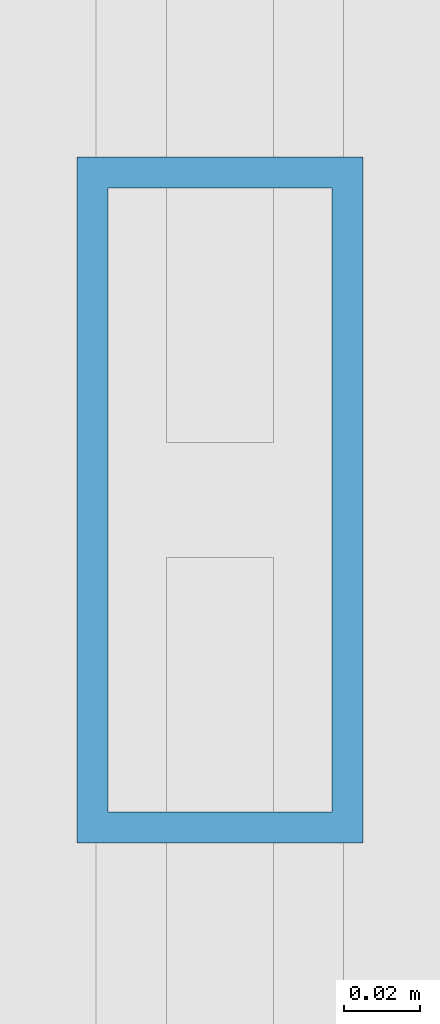
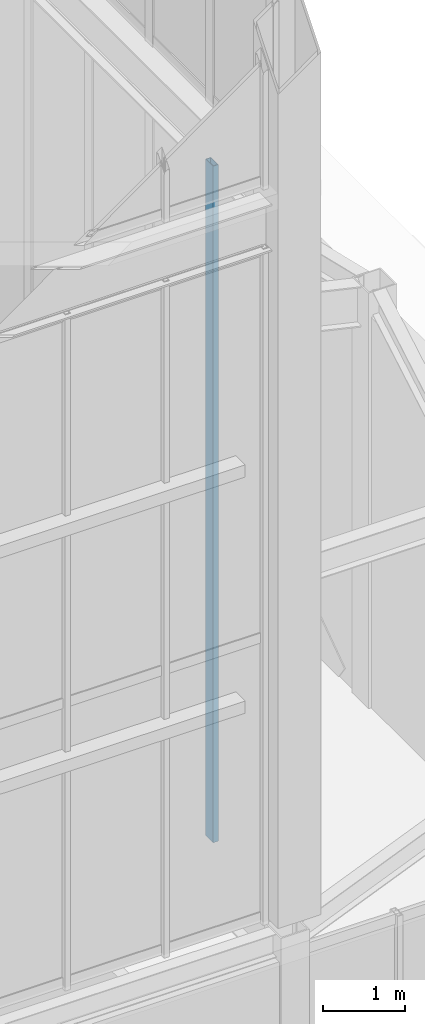
# One storey, part 47 of 135: 1 member, 1 element without a shape of its own.
"""IFC4 building model written with IfcOpenShell, lengths in metres."""

from ifc_helpers import new_model, si_unit, direction, frame, origin, origin_2d, place, context, subcontext, project, spatial, hollow_rectangle, extrude, source, transform, mapped, material, layer, layer_set, material_profile, profile_set, type_object, element, aggregate, save


model = new_model("IFC4")

# Units and contexts
model_context = context("Model", 3, precision=1e-05, world=origin(), true_north=direction((0.0, 1.0)))
body_context = subcontext(model_context, "Body", "Model", "MODEL_VIEW")
ifc_project = project(units=[si_unit("LENGTHUNIT", "METRE"), si_unit("AREAUNIT", "SQUARE_METRE"), si_unit("VOLUMEUNIT", "CUBIC_METRE"), si_unit("PLANEANGLEUNIT", "RADIAN"), si_unit("MASSUNIT", "GRAM", prefix="KILO")], contexts=[model_context])

# Site, building, storey
site_placement = place(None, origin())
site = spatial("IfcSite", under=ifc_project, at=site_placement, CompositionType="ELEMENT")
building_placement = place(site_placement, origin())
building = spatial("IfcBuilding", under=site, at=building_placement, Name="Giltprow Tower", CompositionType="ELEMENT")
storey_placement = place(building_placement, frame((0.0, 0.0, 352.699951171875)))
storey = spatial("IfcBuildingStorey", under=building, at=storey_placement, Name="L92", CompositionType="ELEMENT", Elevation=352.699951171875)

# Curtain wall, member
ifc_material = material(Name="Anodized bronze", Category="metal")
ifc_layer = layer(ifc_material, 0.179931640625, Name="Anodized bronze")
ifc_layer_set = layer_set([ifc_layer], Name="Anodized bronze")
curtain_wall_type = type_object("IfcCurtainWallType", Name="CW-CROWN-LANTERN", PredefinedType="NOTDEFINED", material=ifc_layer_set)
curtain_wall_placement = place(storey_placement, origin())
curtain_wall = element("IfcCurtainWall", 1, at=curtain_wall_placement, inside=storey, type_object=curtain_wall_type, Name="Crown East Lower Lantern Glazing 2", PredefinedType="NOTDEFINED")
ifc_material_profile = material_profile(ifc_material, hollow_rectangle(XDim=0.074951171875, YDim=0.179931640625, WallThickness=0.008056640625, at=origin_2d()), Name="RHS 180x75x8")
ifc_profile_set = profile_set([ifc_material_profile], Name="Anodized bronze")
member_type = type_object("IfcMemberType", Name="CW-MULLION-180x75", PredefinedType="MULLION", material=ifc_profile_set)
shared_shape = source(origin(), body_context, "Body", "SweptSolid", [
    extrude(hollow_rectangle(XDim=0.074951171875, YDim=0.179931640625, WallThickness=0.008056640625, at=origin_2d()), origin(), (0.0, 0.0, 1.0), 10.030029296875),
])
member_placement = place(storey_placement, frame((50.550048828125, 25.322021484375, 6.35009765625), z_axis=(0.0, 0.0, 1.0), x_axis=(1.0, 0.0, 0.0)))
member = element("IfcMember", 2, at=member_placement, type_object=member_type, Name="Crown East Lower Lantern Glazing 2 Mullion 2", PredefinedType="MULLION", context=body_context, shape_type="MappedRepresentation", body=[
    mapped(shared_shape, transform((0.0, 0.0, 0.0), x_axis=(1.0, 0.0, 0.0), y_axis=(0.0, 1.0, 0.0), z_axis=(0.0, 0.0, 1.0), scale=1.0)),
])
aggregate(curtain_wall, [member])

save(model, "model.ifc")
